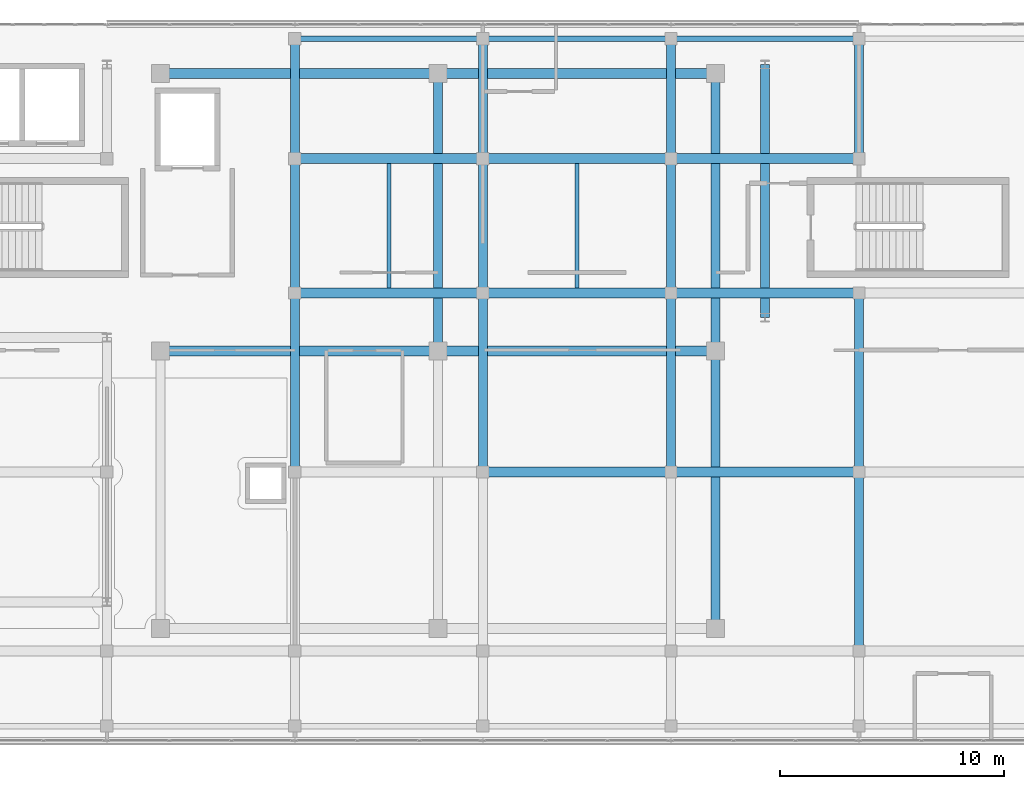
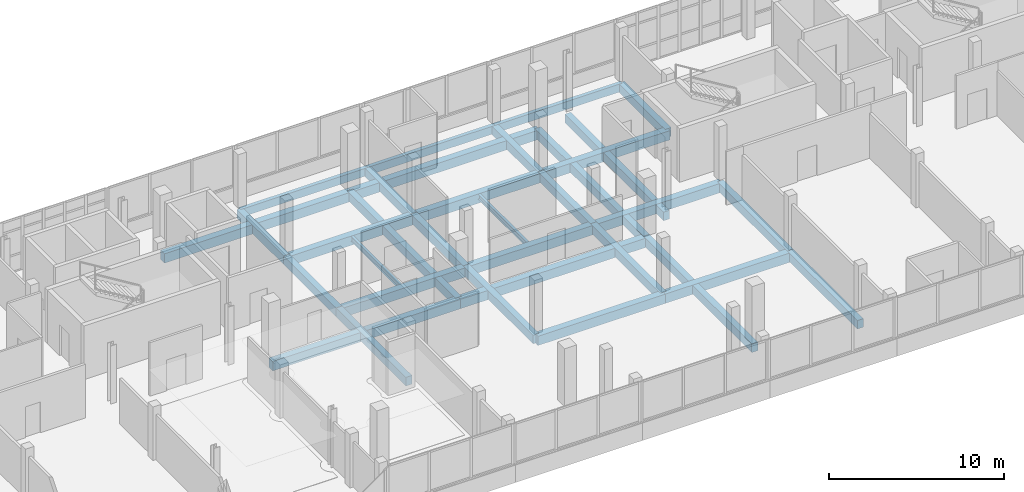
# One storey, part 22 of 67: 33 beams.
"""IFC4 building model written with IfcOpenShell, lengths in metres."""

from ifc_helpers import new_model, si_unit, direction, frame, origin, origin_2d, place, context, subcontext, project, spatial, rectangle, i_section, extrude, material, material_profile, profile_set, type_object, element, save


model = new_model("IFC4")

# Units and contexts
model_context = context("Model", 3, precision=1e-05, world=origin(), true_north=direction((0.0, 1.0)))
body_context = subcontext(model_context, "Body", "Model", "MODEL_VIEW")
ifc_project = project(units=[si_unit("LENGTHUNIT", "METRE"), si_unit("AREAUNIT", "SQUARE_METRE"), si_unit("VOLUMEUNIT", "CUBIC_METRE"), si_unit("PLANEANGLEUNIT", "RADIAN"), si_unit("MASSUNIT", "GRAM", prefix="KILO")], contexts=[model_context])

# Site, building, storey
site_placement = place(None, origin())
site = spatial("IfcSite", under=ifc_project, at=site_placement, CompositionType="ELEMENT")
building_placement = place(site_placement, origin())
building = spatial("IfcBuilding", under=site, at=building_placement, Name="Selatvlak General Hospital", CompositionType="ELEMENT")
storey_placement = place(building_placement, frame((0.0, 0.0, 35.39990234375)))
storey = spatial("IfcBuildingStorey", under=building, at=storey_placement, Name="L08", CompositionType="ELEMENT", Elevation=35.39990234375)

# Beams
ifc_material_1 = material(Name="Concrete C40/50", Category="concrete")
ifc_material_profile_1 = material_profile(ifc_material_1, rectangle(XDim=0.449951171875, YDim=0.64990234375, at=origin_2d()), Name="RC-BM 450x650")
ifc_profile_set_1 = profile_set([ifc_material_profile_1], Name="Concrete C40/50")
beam_type_1 = type_object("IfcBeamType", Name="BM-G04", PredefinedType="BEAM", material=ifc_profile_set_1)
beam_1_placement = place(storey_placement, frame((73.199951171875, 100.0, -0.58984375), z_axis=(1.0, 0.0, 0.0), x_axis=(0.0, 1.0, 0.0)))
element("IfcBeam", 1, at=beam_1_placement, inside=storey, type_object=beam_type_1, Name="Beam BMR-L08-2593", PredefinedType="BEAM", context=body_context, shape_type="SweptSolid", body=[
    extrude(rectangle(XDim=0.449951171875, YDim=0.64990234375, at=origin_2d()), origin(), (0.0, 0.0, 1.0), 8.400146484375),
])
beam_2_placement = place(storey_placement, frame((81.60009765625, 100.0, -0.58984375), z_axis=(1.0, 0.0, 0.0), x_axis=(0.0, 1.0, 0.0)))
element("IfcBeam", 2, at=beam_2_placement, inside=storey, type_object=beam_type_1, Name="Beam BMR-L08-2594", PredefinedType="BEAM", context=body_context, shape_type="SweptSolid", body=[
    extrude(rectangle(XDim=0.449951171875, YDim=0.64990234375, at=origin_2d()), origin(), (0.0, 0.0, 1.0), 8.39990234375),
])
beam_3_placement = place(storey_placement, frame((58.800048828125, 105.39990234375, -0.58984375), z_axis=(1.0, 0.0, 0.0), x_axis=(0.0, 1.0, 0.0)))
element("IfcBeam", 3, at=beam_3_placement, inside=storey, type_object=beam_type_1, Name="Beam BMR-L08-2603", PredefinedType="BEAM", context=body_context, shape_type="SweptSolid", body=[
    extrude(rectangle(XDim=0.449951171875, YDim=0.64990234375, at=origin_2d()), origin(), (0.0, 0.0, 1.0), 12.39990234375),
])
beam_4_placement = place(storey_placement, frame((71.199951171875, 105.39990234375, -0.58984375), z_axis=(1.0, 0.0, 0.0), x_axis=(0.0, 1.0, 0.0)))
element("IfcBeam", 4, at=beam_4_placement, inside=storey, type_object=beam_type_1, Name="Beam BMR-L08-2604", PredefinedType="BEAM", context=body_context, shape_type="SweptSolid", body=[
    extrude(rectangle(XDim=0.449951171875, YDim=0.64990234375, at=origin_2d()), origin(), (0.0, 0.0, 1.0), 12.400146484375),
])
beam_5_placement = place(storey_placement, frame((64.800048828125, 108.0, -0.58984375), z_axis=(1.0, 0.0, 0.0), x_axis=(0.0, 1.0, 0.0)))
element("IfcBeam", 5, at=beam_5_placement, inside=storey, type_object=beam_type_1, Name="Beam BMR-L08-2610", PredefinedType="BEAM", context=body_context, shape_type="SweptSolid", body=[
    extrude(rectangle(XDim=0.449951171875, YDim=0.64990234375, at=origin_2d()), origin(), (0.0, 0.0, 1.0), 8.39990234375),
])
beam_6_placement = place(storey_placement, frame((73.199951171875, 108.0, -0.58984375), z_axis=(1.0, 0.0, 0.0), x_axis=(0.0, 1.0, 0.0)))
element("IfcBeam", 6, at=beam_6_placement, inside=storey, type_object=beam_type_1, Name="Beam BMR-L08-2611", PredefinedType="BEAM", context=body_context, shape_type="SweptSolid", body=[
    extrude(rectangle(XDim=0.449951171875, YDim=0.64990234375, at=origin_2d()), origin(), (0.0, 0.0, 1.0), 8.400146484375),
])
for number, where, z_axis, x_axis, name in (
    (7, (81.60009765625, 108.0, -0.58984375), (1.0, 0.0, 0.0), (0.0, 1.0, 0.0), "Beam BMR-L08-2612"),
    (8, (64.800048828125, 114.0, -0.58984375), (1.0, 0.0, 0.0), (0.0, 1.0, 0.0), "Beam BMR-L08-2621"),
):
    element("IfcBeam", number, at=place(storey_placement, frame(where, z_axis=z_axis, x_axis=x_axis)), inside=storey, type_object=beam_type_1, Name=name, PredefinedType="BEAM", context=body_context, shape_type="SweptSolid", body=[
        extrude(rectangle(XDim=0.449951171875, YDim=0.64990234375, at=origin_2d()), origin(), (0.0, 0.0, 1.0), 8.39990234375),
    ])
beam_7_placement = place(storey_placement, frame((73.199951171875, 114.0, -0.58984375), z_axis=(1.0, 0.0, 0.0), x_axis=(0.0, 1.0, 0.0)))
element("IfcBeam", 9, at=beam_7_placement, inside=storey, type_object=beam_type_1, Name="Beam BMR-L08-2622", PredefinedType="BEAM", context=body_context, shape_type="SweptSolid", body=[
    extrude(rectangle(XDim=0.449951171875, YDim=0.64990234375, at=origin_2d()), origin(), (0.0, 0.0, 1.0), 8.400146484375),
])
beam_8_placement = place(storey_placement, frame((81.60009765625, 114.0, -0.58984375), z_axis=(1.0, 0.0, 0.0), x_axis=(0.0, 1.0, 0.0)))
element("IfcBeam", 10, at=beam_8_placement, inside=storey, type_object=beam_type_1, Name="Beam BMR-L08-2623", PredefinedType="BEAM", context=body_context, shape_type="SweptSolid", body=[
    extrude(rectangle(XDim=0.449951171875, YDim=0.64990234375, at=origin_2d()), origin(), (0.0, 0.0, 1.0), 8.39990234375),
])
beam_9_placement = place(storey_placement, frame((58.800048828125, 117.800048828125, -0.58984375), z_axis=(1.0, 0.0, 0.0), x_axis=(0.0, 1.0, 0.0)))
element("IfcBeam", 11, at=beam_9_placement, inside=storey, type_object=beam_type_1, Name="Beam BMR-L08-2628", PredefinedType="BEAM", context=body_context, shape_type="SweptSolid", body=[
    extrude(rectangle(XDim=0.449951171875, YDim=0.64990234375, at=origin_2d()), origin(), (0.0, 0.0, 1.0), 12.39990234375),
])
beam_10_placement = place(storey_placement, frame((71.199951171875, 117.800048828125, -0.58984375), z_axis=(1.0, 0.0, 0.0), x_axis=(0.0, 1.0, 0.0)))
element("IfcBeam", 12, at=beam_10_placement, inside=storey, type_object=beam_type_1, Name="Beam BMR-L08-2629", PredefinedType="BEAM", context=body_context, shape_type="SweptSolid", body=[
    extrude(rectangle(XDim=0.449951171875, YDim=0.64990234375, at=origin_2d()), origin(), (0.0, 0.0, 1.0), 12.400146484375),
])
ifc_material_profile_2 = material_profile(ifc_material_1, rectangle(XDim=0.39990234375, YDim=0.60009765625, at=origin_2d()), Name="RC-BM 400x600")
ifc_profile_set_2 = profile_set([ifc_material_profile_2], Name="Concrete C40/50")
beam_type_2 = type_object("IfcBeamType", Name="BM-G05", PredefinedType="BEAM", material=ifc_profile_set_2)
beam_11_placement = place(storey_placement, frame((64.800048828125, 100.0, -0.56494140625), z_axis=(0.0, 1.0, 0.0), x_axis=(-1.0, 0.0, 0.0)))
element("IfcBeam", 13, at=beam_11_placement, inside=storey, type_object=beam_type_2, Name="Beam BMR-L08-2656", PredefinedType="BEAM", context=body_context, shape_type="SweptSolid", body=[
    extrude(rectangle(XDim=0.39990234375, YDim=0.60009765625, at=origin_2d()), origin(), (0.0, 0.0, 1.0), 8.0),
])
beam_12_placement = place(storey_placement, frame((64.800048828125, 108.0, -0.56494140625), z_axis=(0.0, 1.0, 0.0), x_axis=(-1.0, 0.0, 0.0)))
element("IfcBeam", 14, at=beam_12_placement, inside=storey, type_object=beam_type_2, Name="Beam BMR-L08-2657", PredefinedType="BEAM", context=body_context, shape_type="SweptSolid", body=[
    extrude(rectangle(XDim=0.39990234375, YDim=0.60009765625, at=origin_2d()), origin(), (0.0, 0.0, 1.0), 6.0),
])
beam_13_placement = place(storey_placement, frame((64.800048828125, 114.0, -0.56494140625), z_axis=(0.0, 1.0, 0.0), x_axis=(-1.0, 0.0, 0.0)))
element("IfcBeam", 15, at=beam_13_placement, inside=storey, type_object=beam_type_2, Name="Beam BMR-L08-2658", PredefinedType="BEAM", context=body_context, shape_type="SweptSolid", body=[
    extrude(rectangle(XDim=0.39990234375, YDim=0.60009765625, at=origin_2d()), origin(), (0.0, 0.0, 1.0), 5.35009765625),
])
beam_14_placement = place(storey_placement, frame((71.199951171875, 105.39990234375, -0.56494140625), z_axis=(0.0, 1.0, 0.0), x_axis=(-1.0, 0.0, 0.0)))
element("IfcBeam", 16, at=beam_14_placement, inside=storey, type_object=beam_type_2, Name="Beam BMR-L08-2660", PredefinedType="BEAM", context=body_context, shape_type="SweptSolid", body=[
    extrude(rectangle(XDim=0.39990234375, YDim=0.60009765625, at=origin_2d()), origin(), (0.0, 0.0, 1.0), 12.400146484375),
])
beam_15_placement = place(storey_placement, frame((73.199951171875, 100.0, -0.56494140625), z_axis=(0.0, 1.0, 0.0), x_axis=(-1.0, 0.0, 0.0)))
element("IfcBeam", 17, at=beam_15_placement, inside=storey, type_object=beam_type_2, Name="Beam BMR-L08-2663", PredefinedType="BEAM", context=body_context, shape_type="SweptSolid", body=[
    extrude(rectangle(XDim=0.39990234375, YDim=0.60009765625, at=origin_2d()), origin(), (0.0, 0.0, 1.0), 8.0),
])
beam_16_placement = place(storey_placement, frame((73.199951171875, 108.0, -0.56494140625), z_axis=(0.0, 1.0, 0.0), x_axis=(-1.0, 0.0, 0.0)))
element("IfcBeam", 18, at=beam_16_placement, inside=storey, type_object=beam_type_2, Name="Beam BMR-L08-2664", PredefinedType="BEAM", context=body_context, shape_type="SweptSolid", body=[
    extrude(rectangle(XDim=0.39990234375, YDim=0.60009765625, at=origin_2d()), origin(), (0.0, 0.0, 1.0), 6.0),
])
beam_17_placement = place(storey_placement, frame((73.199951171875, 114.0, -0.56494140625), z_axis=(0.0, 1.0, 0.0), x_axis=(-1.0, 0.0, 0.0)))
element("IfcBeam", 19, at=beam_17_placement, inside=storey, type_object=beam_type_2, Name="Beam BMR-L08-2665", PredefinedType="BEAM", context=body_context, shape_type="SweptSolid", body=[
    extrude(rectangle(XDim=0.39990234375, YDim=0.60009765625, at=origin_2d()), origin(), (0.0, 0.0, 1.0), 5.35009765625),
])
beam_18_placement = place(storey_placement, frame((81.60009765625, 100.0, -0.56494140625), z_axis=(0.0, 1.0, 0.0), x_axis=(-1.0, 0.0, 0.0)))
element("IfcBeam", 20, at=beam_18_placement, inside=storey, type_object=beam_type_2, Name="Beam BMR-L08-2668", PredefinedType="BEAM", context=body_context, shape_type="SweptSolid", body=[
    extrude(rectangle(XDim=0.39990234375, YDim=0.60009765625, at=origin_2d()), origin(), (0.0, 0.0, 1.0), 8.0),
])
beam_19_placement = place(storey_placement, frame((81.60009765625, 108.0, -0.56494140625), z_axis=(0.0, 1.0, 0.0), x_axis=(-1.0, 0.0, 0.0)))
element("IfcBeam", 21, at=beam_19_placement, inside=storey, type_object=beam_type_2, Name="Beam BMR-L08-2669", PredefinedType="BEAM", context=body_context, shape_type="SweptSolid", body=[
    extrude(rectangle(XDim=0.39990234375, YDim=0.60009765625, at=origin_2d()), origin(), (0.0, 0.0, 1.0), 6.0),
])
beam_20_placement = place(storey_placement, frame((81.60009765625, 114.0, -0.56494140625), z_axis=(0.0, 1.0, 0.0), x_axis=(-1.0, 0.0, 0.0)))
element("IfcBeam", 22, at=beam_20_placement, inside=storey, type_object=beam_type_2, Name="Beam BMR-L08-2670", PredefinedType="BEAM", context=body_context, shape_type="SweptSolid", body=[
    extrude(rectangle(XDim=0.39990234375, YDim=0.60009765625, at=origin_2d()), origin(), (0.0, 0.0, 1.0), 5.35009765625),
])
beam_21_placement = place(storey_placement, frame((83.60009765625, 93.0, -0.56494140625), z_axis=(0.0, 1.0, 0.0), x_axis=(-1.0, 0.0, 0.0)))
element("IfcBeam", 23, at=beam_21_placement, inside=storey, type_object=beam_type_2, Name="Beam BMR-L08-2671", PredefinedType="BEAM", context=body_context, shape_type="SweptSolid", body=[
    extrude(rectangle(XDim=0.39990234375, YDim=0.60009765625, at=origin_2d()), origin(), (0.0, 0.0, 1.0), 12.39990234375),
])
beam_22_placement = place(storey_placement, frame((83.60009765625, 105.39990234375, -0.56494140625), z_axis=(0.0, 1.0, 0.0), x_axis=(-1.0, 0.0, 0.0)))
element("IfcBeam", 24, at=beam_22_placement, inside=storey, type_object=beam_type_2, Name="Beam BMR-L08-2672", PredefinedType="BEAM", context=body_context, shape_type="SweptSolid", body=[
    extrude(rectangle(XDim=0.39990234375, YDim=0.60009765625, at=origin_2d()), origin(), (0.0, 0.0, 1.0), 12.400146484375),
])
beam_23_placement = place(storey_placement, frame((85.800048828125, 106.89990234375, -0.56494140625), z_axis=(0.0, 1.0, 0.0), x_axis=(-1.0, 0.0, 0.0)))
element("IfcBeam", 25, at=beam_23_placement, inside=storey, type_object=beam_type_2, Name="Beam BMR-L08-2673", PredefinedType="BEAM", context=body_context, shape_type="SweptSolid", body=[
    extrude(rectangle(XDim=0.39990234375, YDim=0.60009765625, at=origin_2d()), origin(), (0.0, 0.0, 1.0), 11.300048828125),
])
for number, where, z_axis, x_axis, name in (
    (26, (90.0, 92.0, -0.56494140625), (0.0, 1.0, 0.0), (-1.0, 0.0, 0.0), "Beam BMR-L08-2675"),
    (27, (90.0, 100.0, -0.56494140625), (0.0, 1.0, 0.0), (-1.0, 0.0, 0.0), "Beam BMR-L08-2676"),
):
    element("IfcBeam", number, at=place(storey_placement, frame(where, z_axis=z_axis, x_axis=x_axis)), inside=storey, type_object=beam_type_2, Name=name, PredefinedType="BEAM", context=body_context, shape_type="SweptSolid", body=[
        extrude(rectangle(XDim=0.39990234375, YDim=0.60009765625, at=origin_2d()), origin(), (0.0, 0.0, 1.0), 8.0),
    ])
beam_24_placement = place(storey_placement, frame((90.0, 114.0, -0.56494140625), z_axis=(0.0, 1.0, 0.0), x_axis=(-1.0, 0.0, 0.0)))
element("IfcBeam", 28, at=beam_24_placement, inside=storey, type_object=beam_type_2, Name="Beam BMR-L08-2677", PredefinedType="BEAM", context=body_context, shape_type="SweptSolid", body=[
    extrude(rectangle(XDim=0.39990234375, YDim=0.60009765625, at=origin_2d()), origin(), (0.0, 0.0, 1.0), 5.35009765625),
])
ifc_material_2 = material(Name="Steel S355", Category="steel")
ifc_material_profile_3 = material_profile(ifc_material_2, i_section(OverallWidth=0.17138671875, OverallDepth=0.35498046875, WebThickness=0.00732421875, FlangeThickness=0.011474609375, at=origin_2d()), Name="UB 356x171x51")
ifc_profile_set_3 = profile_set([ifc_material_profile_3], Name="Steel S355")
beam_type_3 = type_object("IfcBeamType", Name="BM-J05", PredefinedType="JOIST", material=ifc_profile_set_3)
for number, where, z_axis, x_axis, name in (
    (29, (69.0, 108.22509765625, -0.44287109375), (0.0, 1.0, 0.0), (-1.0, 0.0, 0.0), "Beam BMR-L08-2716"),
    (30, (77.39990234375, 108.22509765625, -0.44287109375), (0.0, 1.0, 0.0), (-1.0, 0.0, 0.0), "Beam BMR-L08-2717"),
):
    element("IfcBeam", number, at=place(storey_placement, frame(where, z_axis=z_axis, x_axis=x_axis)), inside=storey, type_object=beam_type_3, Name=name, PredefinedType="JOIST", context=body_context, shape_type="SweptSolid", body=[
        extrude(i_section(OverallWidth=0.17138671875, OverallDepth=0.35498046875, WebThickness=0.00732421875, FlangeThickness=0.011474609375, at=origin_2d()), origin(), (0.0, 0.0, 1.0), 5.5498046875),
    ])
ifc_material_profile_4 = material_profile(ifc_material_1, rectangle(XDim=0.25, YDim=0.550048828125, at=origin_2d()), Name="RC-SP 250x550")
ifc_profile_set_4 = profile_set([ifc_material_profile_4], Name="Concrete C40/50")
beam_type_4 = type_object("IfcBeamType", Name="BM-SP2", PredefinedType="SPANDREL", material=ifc_profile_set_4)
beam_25_placement = place(storey_placement, frame((64.800048828125, 119.35009765625, -0.539794921875), z_axis=(1.0, 0.0, 0.0), x_axis=(0.0, 1.0, 0.0)))
element("IfcBeam", 31, at=beam_25_placement, inside=storey, type_object=beam_type_4, Name="Beam BMR-L08-2631", PredefinedType="SPANDREL", context=body_context, shape_type="SweptSolid", body=[
    extrude(rectangle(XDim=0.25, YDim=0.550048828125, at=origin_2d()), origin(), (0.0, 0.0, 1.0), 8.39990234375),
])
beam_26_placement = place(storey_placement, frame((73.199951171875, 119.35009765625, -0.539794921875), z_axis=(1.0, 0.0, 0.0), x_axis=(0.0, 1.0, 0.0)))
element("IfcBeam", 32, at=beam_26_placement, inside=storey, type_object=beam_type_4, Name="Beam BMR-L08-2632", PredefinedType="SPANDREL", context=body_context, shape_type="SweptSolid", body=[
    extrude(rectangle(XDim=0.25, YDim=0.550048828125, at=origin_2d()), origin(), (0.0, 0.0, 1.0), 8.400146484375),
])
beam_27_placement = place(storey_placement, frame((81.60009765625, 119.35009765625, -0.539794921875), z_axis=(1.0, 0.0, 0.0), x_axis=(0.0, 1.0, 0.0)))
element("IfcBeam", 33, at=beam_27_placement, inside=storey, type_object=beam_type_4, Name="Beam BMR-L08-2633", PredefinedType="SPANDREL", context=body_context, shape_type="SweptSolid", body=[
    extrude(rectangle(XDim=0.25, YDim=0.550048828125, at=origin_2d()), origin(), (0.0, 0.0, 1.0), 8.39990234375),
])

save(model, "model.ifc")
